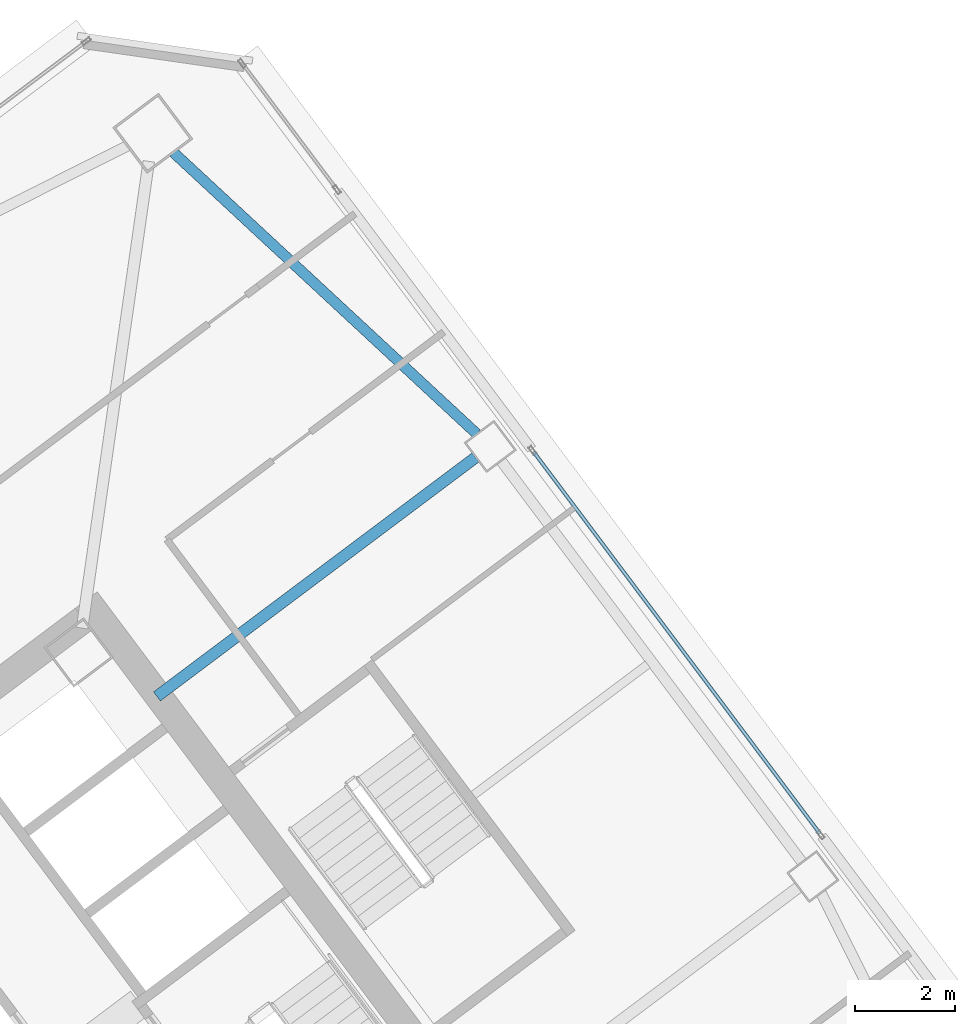
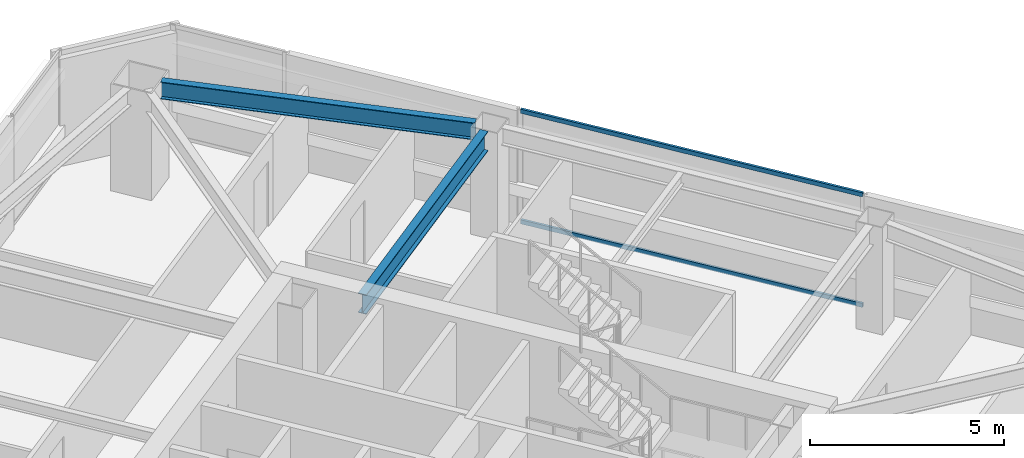
# One storey, part 28 of 41: 2 beams, 2 members, 1 element without a shape of its own.
"""IFC4 building model written with IfcOpenShell, lengths in metres."""

from ifc_helpers import new_model, si_unit, direction, frame, origin, origin_2d, place, context, subcontext, project, spatial, hollow_rectangle, i_section, extrude, material, material_profile, profile_set, type_object, element, aggregate, save


model = new_model("IFC4")

# Units and contexts
model_context = context("Model", 3, precision=1e-05, world=origin(), true_north=direction((0.0, 1.0)))
body_context = subcontext(model_context, "Body", "Model", "MODEL_VIEW")
ifc_project = project(units=[si_unit("LENGTHUNIT", "METRE"), si_unit("AREAUNIT", "SQUARE_METRE"), si_unit("VOLUMEUNIT", "CUBIC_METRE"), si_unit("PLANEANGLEUNIT", "RADIAN"), si_unit("MASSUNIT", "GRAM", prefix="KILO")], contexts=[model_context])

# Site, building, storey
site_placement = place(None, origin())
site = spatial("IfcSite", under=ifc_project, at=site_placement, CompositionType="ELEMENT")
building_placement = place(site_placement, origin())
building = spatial("IfcBuilding", under=site, at=building_placement, Name="Tashvorn Skyway Center", CompositionType="ELEMENT")
storey_placement = place(building_placement, frame((0.0, 0.0, 171.199951171875)))
storey = spatial("IfcBuildingStorey", under=building, at=storey_placement, Name="L46", CompositionType="ELEMENT", Elevation=171.199951171875)

# Beams
ifc_material_1 = material(Name="Steel ASTM A992 Grade 50", Category="steel")
ifc_material_profile_1 = material_profile(ifc_material_1, i_section(OverallWidth=0.22998046875, OverallDepth=0.616943359375, WebThickness=0.01318359375, FlangeThickness=0.022216796875, at=origin_2d()), Name="W24X94")
ifc_profile_set_1 = profile_set([ifc_material_profile_1], Name="Steel ASTM A992 Grade 50")
beam_type_1 = type_object("IfcBeamType", Name="BM-BEAM-W24X94", PredefinedType="BEAM", material=ifc_profile_set_1)
beam_1_placement = place(storey_placement, frame((123.384033203125, 45.7880859375, 3.0615234375), z_axis=(-0.800003662027, -0.599995117266, 0.0), x_axis=(0.599995117266, -0.800003662027, 0.0)))
element("IfcBeam", 1, at=beam_1_placement, inside=storey, type_object=beam_type_1, Name="Tower 2 L46 Primary Floor Girder FC-E2", PredefinedType="BEAM", context=body_context, shape_type="SweptSolid", body=[
    extrude(i_section(OverallWidth=0.22998046875, OverallDepth=0.616943359375, WebThickness=0.01318359375, FlangeThickness=0.022216796875, at=origin_2d()), origin(), (0.0, 0.0, 1.0), 8.000244140625),
])
ifc_material_profile_2 = material_profile(ifc_material_1, i_section(OverallWidth=0.2109375, OverallDepth=0.5390625, WebThickness=0.01171875, FlangeThickness=0.018798828125, at=origin_2d()), Name="W21X73")
ifc_profile_set_2 = profile_set([ifc_material_profile_2], Name="Steel ASTM A992 Grade 50")
beam_type_2 = type_object("IfcBeamType", Name="BM-SPANDREL-W21X73", PredefinedType="SPANDREL", material=ifc_profile_set_2)
beam_2_placement = place(storey_placement, frame((123.40869140625, 46.26171875, 3.1005859375), z_axis=(-0.733101115618, 0.680119661736, 0.0), x_axis=(-0.680119661736, -0.733101115618, 0.0)))
element("IfcBeam", 2, at=beam_2_placement, inside=storey, type_object=beam_type_2, Name="Tower 2 L46 Spandrel Beam 06", PredefinedType="SPANDREL", context=body_context, shape_type="SweptSolid", body=[
    extrude(i_section(OverallWidth=0.2109375, OverallDepth=0.5390625, WebThickness=0.01171875, FlangeThickness=0.018798828125, at=origin_2d()), origin(), (0.0, 0.0, 1.0), 8.308349609375),
])

# Curtain wall, members
ifc_material_2 = material(Name="Thermally broken bronze-anodized aluminium 6063-T6", Category="aluminium")
curtain_wall_type = type_object("IfcCurtainWallType", Name="CW-CW-Z4", PredefinedType="NOTDEFINED", material=ifc_material_2)
curtain_wall_placement = place(storey_placement, origin())
curtain_wall = element("IfcCurtainWall", 3, at=curtain_wall_placement, inside=storey, type_object=curtain_wall_type, Name="Tower 2 L46 East Unitised Curtain Wall Glazing Group 2", PredefinedType="NOTDEFINED")
ifc_material_profile_3 = material_profile(ifc_material_2, hollow_rectangle(XDim=0.070068359375, YDim=0.1298828125, WallThickness=0.00390625, at=origin_2d()), Name="ALU-TRAN-70x130")
ifc_profile_set_3 = profile_set([ifc_material_profile_3], Name="Thermally broken bronze-anodized aluminium 6063-T6")
member_type = type_object("IfcMemberType", Name="CWT-CW-Z4", PredefinedType="USERDEFINED", material=ifc_profile_set_3)
member_1_placement = place(storey_placement, frame((124.550048828125, 45.89990234375, 0.03515625), z_axis=(0.600012232595, -0.799990825408, 0.0), x_axis=(0.799990825408, 0.600012232595, 0.0)))
member_1 = element("IfcMember", 4, at=member_1_placement, type_object=member_type, Name="CW-Z4 transom 1.1", ObjectType="TRANSOM", PredefinedType="USERDEFINED", context=body_context, shape_type="SweptSolid", body=[
    extrude(hollow_rectangle(XDim=0.070068359375, YDim=0.1298828125, WallThickness=0.00390625, at=origin_2d()), origin(), (0.0, 0.0, 1.0), 9.579833984375),
])
member_2_placement = place(storey_placement, frame((124.550048828125, 45.89990234375, 3.51513671875), z_axis=(0.600012232595, -0.799990825408, 0.0), x_axis=(0.799990825408, 0.600012232595, 0.0)))
member_2 = element("IfcMember", 5, at=member_2_placement, type_object=member_type, Name="CW-Z4 transom 1.2", ObjectType="TRANSOM", PredefinedType="USERDEFINED", context=body_context, shape_type="SweptSolid", body=[
    extrude(hollow_rectangle(XDim=0.070068359375, YDim=0.1298828125, WallThickness=0.00390625, at=origin_2d()), origin(), (0.0, 0.0, 1.0), 9.579833984375),
])
aggregate(curtain_wall, [member_1, member_2])

save(model, "model.ifc")
